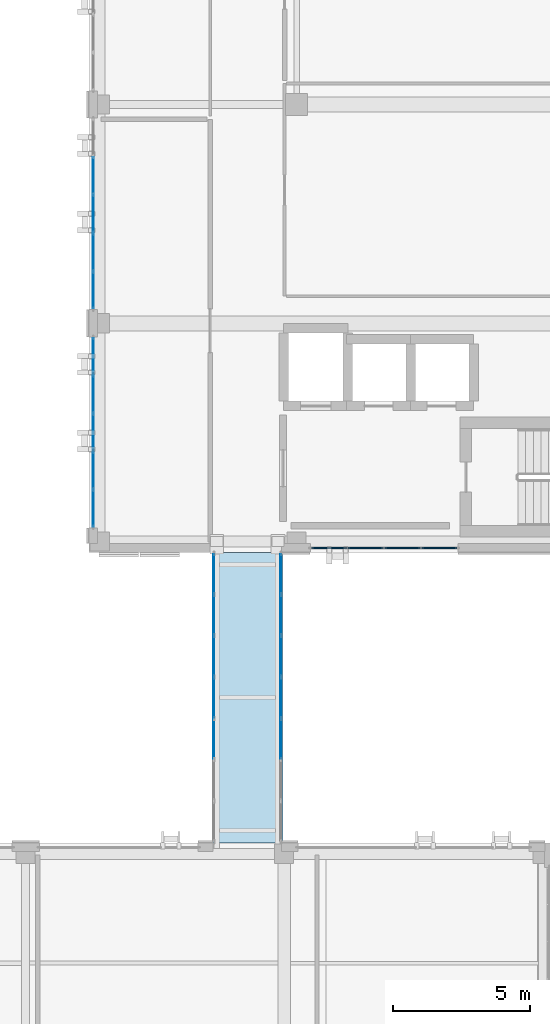
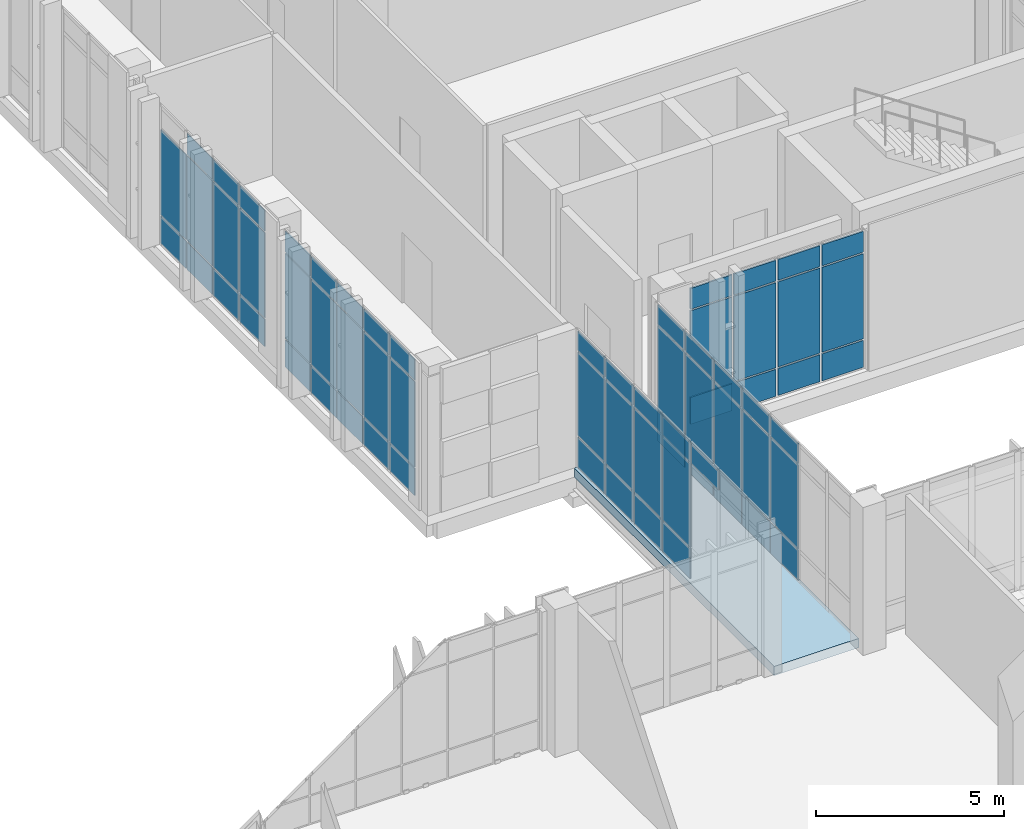
# One storey, part 138 of 189: 66 plates, 1 slab, 5 elements without a shape of their own.
"""IFC4 building model written with IfcOpenShell, lengths in metres."""

from ifc_helpers import new_model, si_unit, direction, frame, origin, origin_2d, place, context, subcontext, project, spatial, polyline, rectangle, outline, extrude, material, layer, layer_set, type_object, element, aggregate, save


model = new_model("IFC4")

# Units and contexts
model_context = context("Model", 3, precision=1e-05, world=origin(), true_north=direction((0.0, 1.0)))
body_context = subcontext(model_context, "Body", "Model", "MODEL_VIEW")
ifc_project = project(units=[si_unit("LENGTHUNIT", "METRE"), si_unit("AREAUNIT", "SQUARE_METRE"), si_unit("VOLUMEUNIT", "CUBIC_METRE"), si_unit("PLANEANGLEUNIT", "RADIAN"), si_unit("MASSUNIT", "GRAM", prefix="KILO")], contexts=[model_context])

# Site, building, storey
site_placement = place(None, origin())
site = spatial("IfcSite", under=ifc_project, at=site_placement, CompositionType="ELEMENT")
building_placement = place(site_placement, origin())
building = spatial("IfcBuilding", under=site, at=building_placement, Name="Qalavern Law Courts", CompositionType="ELEMENT")
storey_placement = place(building_placement, frame((0.0, 0.0, 5.39990234375)))
storey = spatial("IfcBuildingStorey", under=building, at=storey_placement, Name="L01", CompositionType="ELEMENT", Elevation=5.39990234375)

# Curtain wall, plates
ifc_material_1 = material(Name="Anodised aluminium and insulated glazing", Category="aluminium")
ifc_layer_1 = layer(ifc_material_1, 0.172119140625)
ifc_layer_set_1 = layer_set([ifc_layer_1], Name="Anodised aluminium and insulated glazing")
curtain_wall_type_1 = type_object("IfcCurtainWallType", Name="ENV-CW-COURT", PredefinedType="USERDEFINED", material=ifc_layer_set_1)
curtain_wall_1_placement = place(storey_placement, origin())
curtain_wall_1 = element("IfcCurtainWall", 1, at=curtain_wall_1_placement, inside=storey, type_object=curtain_wall_type_1, Name="V4 unitised curtain wall L01 west 5", ObjectType="UNITISED CURTAIN WALL", PredefinedType="USERDEFINED")
ifc_material_2 = material(Name="Insulated low-E acoustic glazing", Category="glass")
ifc_layer_2 = layer(ifc_material_2, 0.028076171875)
ifc_layer_set_2 = layer_set([ifc_layer_2], Name="Insulated low-E acoustic glazing")
plate_type_1 = type_object("IfcPlateType", Name="ENV-CWP-28", PredefinedType="CURTAIN_PANEL", material=ifc_layer_set_2)
plate_1_placement = place(storey_placement, frame((84.362548828125, 54.800048828125, 0.048095703125), z_axis=(0.0, 0.0, 1.0), x_axis=(0.0, -1.0, 0.0)))
plate_1 = element("IfcPlate", 2, at=plate_1_placement, type_object=plate_type_1, Name="CW-03 panel 2.1", PredefinedType="CURTAIN_PANEL", context=body_context, shape_type="SweptSolid", body=[
    extrude(rectangle(XDim=1.35205078125, YDim=0.028076171875, at=origin_2d()), origin(), (0.0, 0.0, 1.0), 0.8779296875),
])
plate_2_placement = place(storey_placement, frame((84.362548828125, 54.800048828125, 0.97412109375), z_axis=(0.0, 0.0, 1.0), x_axis=(0.0, -1.0, 0.0)))
plate_2 = element("IfcPlate", 3, at=plate_2_placement, type_object=plate_type_1, Name="CW-03 panel 2.2", PredefinedType="CURTAIN_PANEL", context=body_context, shape_type="SweptSolid", body=[
    extrude(rectangle(XDim=1.35205078125, YDim=0.028076171875, at=origin_2d()), origin(), (0.0, 0.0, 1.0), 2.761962890625),
])
plate_3_placement = place(storey_placement, frame((84.362548828125, 53.39990234375, 0.048095703125), z_axis=(0.0, 0.0, 1.0), x_axis=(0.0, -1.0, 0.0)))
plate_3 = element("IfcPlate", 4, at=plate_3_placement, type_object=plate_type_1, Name="CW-03 panel 3.1", PredefinedType="CURTAIN_PANEL", context=body_context, shape_type="SweptSolid", body=[
    extrude(rectangle(XDim=1.35205078125, YDim=0.028076171875, at=origin_2d()), origin(), (0.0, 0.0, 1.0), 0.8779296875),
])
plate_4_placement = place(storey_placement, frame((84.362548828125, 53.39990234375, 0.97412109375), z_axis=(0.0, 0.0, 1.0), x_axis=(0.0, -1.0, 0.0)))
plate_4 = element("IfcPlate", 5, at=plate_4_placement, type_object=plate_type_1, Name="CW-03 panel 3.2", PredefinedType="CURTAIN_PANEL", context=body_context, shape_type="SweptSolid", body=[
    extrude(rectangle(XDim=1.35205078125, YDim=0.028076171875, at=origin_2d()), origin(), (0.0, 0.0, 1.0), 2.761962890625),
])
plate_5_placement = place(storey_placement, frame((84.362548828125, 53.39990234375, 3.7841796875), z_axis=(0.0, 0.0, 1.0), x_axis=(0.0, -1.0, 0.0)))
plate_5 = element("IfcPlate", 6, at=plate_5_placement, type_object=plate_type_1, Name="CW-03 panel 3.3", PredefinedType="CURTAIN_PANEL", context=body_context, shape_type="SweptSolid", body=[
    extrude(rectangle(XDim=1.35205078125, YDim=0.028076171875, at=origin_2d()), origin(), (0.0, 0.0, 1.0), 0.677978515625),
])
plate_6_placement = place(storey_placement, frame((84.362548828125, 52.0, 0.048095703125), z_axis=(0.0, 0.0, 1.0), x_axis=(0.0, -1.0, 0.0)))
plate_6 = element("IfcPlate", 7, at=plate_6_placement, type_object=plate_type_1, Name="CW-03 panel 4.1", PredefinedType="CURTAIN_PANEL", context=body_context, shape_type="SweptSolid", body=[
    extrude(rectangle(XDim=1.35205078125, YDim=0.028076171875, at=origin_2d()), origin(), (0.0, 0.0, 1.0), 0.8779296875),
])
plate_7_placement = place(storey_placement, frame((84.362548828125, 52.0, 0.97412109375), z_axis=(0.0, 0.0, 1.0), x_axis=(0.0, -1.0, 0.0)))
plate_7 = element("IfcPlate", 8, at=plate_7_placement, type_object=plate_type_1, Name="CW-03 panel 4.2", PredefinedType="CURTAIN_PANEL", context=body_context, shape_type="SweptSolid", body=[
    extrude(rectangle(XDim=1.35205078125, YDim=0.028076171875, at=origin_2d()), origin(), (0.0, 0.0, 1.0), 2.761962890625),
])
plate_8_placement = place(storey_placement, frame((84.362548828125, 52.0, 3.7841796875), z_axis=(0.0, 0.0, 1.0), x_axis=(0.0, -1.0, 0.0)))
plate_8 = element("IfcPlate", 9, at=plate_8_placement, type_object=plate_type_1, Name="CW-03 panel 4.3", PredefinedType="CURTAIN_PANEL", context=body_context, shape_type="SweptSolid", body=[
    extrude(rectangle(XDim=1.35205078125, YDim=0.028076171875, at=origin_2d()), origin(), (0.0, 0.0, 1.0), 0.677978515625),
])
plate_9_placement = place(storey_placement, frame((84.362548828125, 50.612060546875, 0.048095703125), z_axis=(0.0, 0.0, 1.0), x_axis=(0.0, -1.0, 0.0)))
plate_9 = element("IfcPlate", 10, at=plate_9_placement, type_object=plate_type_1, Name="CW-03 panel 5.1", PredefinedType="CURTAIN_PANEL", context=body_context, shape_type="SweptSolid", body=[
    extrude(rectangle(XDim=1.327880859375, YDim=0.028076171875, at=origin_2d()), origin(), (0.0, 0.0, 1.0), 0.8779296875),
])
plate_10_placement = place(storey_placement, frame((84.362548828125, 50.612060546875, 0.97412109375), z_axis=(0.0, 0.0, 1.0), x_axis=(0.0, -1.0, 0.0)))
plate_10 = element("IfcPlate", 11, at=plate_10_placement, type_object=plate_type_1, Name="CW-03 panel 5.2", PredefinedType="CURTAIN_PANEL", context=body_context, shape_type="SweptSolid", body=[
    extrude(rectangle(XDim=1.327880859375, YDim=0.028076171875, at=origin_2d()), origin(), (0.0, 0.0, 1.0), 2.761962890625),
])
plate_11_placement = place(storey_placement, frame((84.362548828125, 50.612060546875, 3.7841796875), z_axis=(0.0, 0.0, 1.0), x_axis=(0.0, -1.0, 0.0)))
plate_11 = element("IfcPlate", 12, at=plate_11_placement, type_object=plate_type_1, Name="CW-03 panel 5.3", PredefinedType="CURTAIN_PANEL", context=body_context, shape_type="SweptSolid", body=[
    extrude(rectangle(XDim=1.327880859375, YDim=0.028076171875, at=origin_2d()), origin(), (0.0, 0.0, 1.0), 0.677978515625),
])
aggregate(curtain_wall_1, [plate_1, plate_2, plate_3, plate_4, plate_5, plate_6, plate_7, plate_8, plate_9, plate_10, plate_11])

curtain_wall_2_placement = place(storey_placement, origin())
curtain_wall_2 = element("IfcCurtainWall", 13, at=curtain_wall_2_placement, inside=storey, type_object=curtain_wall_type_1, Name="V4 unitised curtain wall L01 west 6", ObjectType="UNITISED CURTAIN WALL", PredefinedType="USERDEFINED")
ifc_layer_3 = layer(ifc_material_2, 0.031982421875)
ifc_layer_set_3 = layer_set([ifc_layer_3], Name="Insulated low-E acoustic glazing")
plate_type_2 = type_object("IfcPlateType", Name="ENV-CWP-32", PredefinedType="CURTAIN_PANEL", material=ifc_layer_set_3)
plate_12_placement = place(storey_placement, frame((84.362548828125, 48.18994140625, 0.048095703125), z_axis=(0.0, 0.0, 1.0), x_axis=(0.0, -1.0, 0.0)))
plate_12 = element("IfcPlate", 14, at=plate_12_placement, type_object=plate_type_2, Name="CW-03 panel 1.1", PredefinedType="CURTAIN_PANEL", context=body_context, shape_type="SweptSolid", body=[
    extrude(rectangle(XDim=1.323974609375, YDim=0.031982421875, at=origin_2d()), origin(), (0.0, 0.0, 1.0), 0.8779296875),
])
plate_13_placement = place(storey_placement, frame((84.362548828125, 48.18994140625, 0.97412109375), z_axis=(0.0, 0.0, 1.0), x_axis=(0.0, -1.0, 0.0)))
plate_13 = element("IfcPlate", 15, at=plate_13_placement, type_object=plate_type_2, Name="CW-03 panel 1.2", PredefinedType="CURTAIN_PANEL", context=body_context, shape_type="SweptSolid", body=[
    extrude(rectangle(XDim=1.323974609375, YDim=0.031982421875, at=origin_2d()), origin(), (0.0, 0.0, 1.0), 2.761962890625),
])
plate_14_placement = place(storey_placement, frame((84.362548828125, 48.18994140625, 3.7841796875), z_axis=(0.0, 0.0, 1.0), x_axis=(0.0, -1.0, 0.0)))
plate_14 = element("IfcPlate", 16, at=plate_14_placement, type_object=plate_type_2, Name="CW-03 panel 1.3", PredefinedType="CURTAIN_PANEL", context=body_context, shape_type="SweptSolid", body=[
    extrude(rectangle(XDim=1.323974609375, YDim=0.031982421875, at=origin_2d()), origin(), (0.0, 0.0, 1.0), 0.677978515625),
])
plate_15_placement = place(storey_placement, frame((84.362548828125, 46.805908203125, 0.048095703125), z_axis=(0.0, 0.0, 1.0), x_axis=(0.0, -1.0, 0.0)))
plate_15 = element("IfcPlate", 17, at=plate_15_placement, type_object=plate_type_2, Name="CW-03 panel 2.1", PredefinedType="CURTAIN_PANEL", context=body_context, shape_type="SweptSolid", body=[
    extrude(rectangle(XDim=1.347900390625, YDim=0.031982421875, at=origin_2d()), origin(), (0.0, 0.0, 1.0), 0.8779296875),
])
plate_16_placement = place(storey_placement, frame((84.362548828125, 46.805908203125, 0.97412109375), z_axis=(0.0, 0.0, 1.0), x_axis=(0.0, -1.0, 0.0)))
plate_16 = element("IfcPlate", 18, at=plate_16_placement, type_object=plate_type_2, Name="CW-03 panel 2.2", PredefinedType="CURTAIN_PANEL", context=body_context, shape_type="SweptSolid", body=[
    extrude(rectangle(XDim=1.347900390625, YDim=0.031982421875, at=origin_2d()), origin(), (0.0, 0.0, 1.0), 2.761962890625),
])
plate_17_placement = place(storey_placement, frame((84.362548828125, 46.805908203125, 3.7841796875), z_axis=(0.0, 0.0, 1.0), x_axis=(0.0, -1.0, 0.0)))
plate_17 = element("IfcPlate", 19, at=plate_17_placement, type_object=plate_type_2, Name="CW-03 panel 2.3", PredefinedType="CURTAIN_PANEL", context=body_context, shape_type="SweptSolid", body=[
    extrude(rectangle(XDim=1.347900390625, YDim=0.031982421875, at=origin_2d()), origin(), (0.0, 0.0, 1.0), 0.677978515625),
])
plate_18_placement = place(storey_placement, frame((84.362548828125, 45.409912109375, 0.048095703125), z_axis=(0.0, 0.0, 1.0), x_axis=(0.0, -1.0, 0.0)))
plate_18 = element("IfcPlate", 20, at=plate_18_placement, type_object=plate_type_2, Name="CW-03 panel 3.1", PredefinedType="CURTAIN_PANEL", context=body_context, shape_type="SweptSolid", body=[
    extrude(rectangle(XDim=1.347900390625, YDim=0.031982421875, at=origin_2d()), origin(), (0.0, 0.0, 1.0), 0.8779296875),
])
plate_19_placement = place(storey_placement, frame((84.362548828125, 45.409912109375, 0.97412109375), z_axis=(0.0, 0.0, 1.0), x_axis=(0.0, -1.0, 0.0)))
plate_19 = element("IfcPlate", 21, at=plate_19_placement, type_object=plate_type_2, Name="CW-03 panel 3.2", PredefinedType="CURTAIN_PANEL", context=body_context, shape_type="SweptSolid", body=[
    extrude(rectangle(XDim=1.347900390625, YDim=0.031982421875, at=origin_2d()), origin(), (0.0, 0.0, 1.0), 2.761962890625),
])
plate_20_placement = place(storey_placement, frame((84.362548828125, 45.409912109375, 3.7841796875), z_axis=(0.0, 0.0, 1.0), x_axis=(0.0, -1.0, 0.0)))
plate_20 = element("IfcPlate", 22, at=plate_20_placement, type_object=plate_type_2, Name="CW-03 panel 3.3", PredefinedType="CURTAIN_PANEL", context=body_context, shape_type="SweptSolid", body=[
    extrude(rectangle(XDim=1.347900390625, YDim=0.031982421875, at=origin_2d()), origin(), (0.0, 0.0, 1.0), 0.677978515625),
])
plate_21_placement = place(storey_placement, frame((84.362548828125, 44.013916015625, 0.048095703125), z_axis=(0.0, 0.0, 1.0), x_axis=(0.0, -1.0, 0.0)))
plate_21 = element("IfcPlate", 23, at=plate_21_placement, type_object=plate_type_2, Name="CW-03 panel 4.1", PredefinedType="CURTAIN_PANEL", context=body_context, shape_type="SweptSolid", body=[
    extrude(rectangle(XDim=1.347900390625, YDim=0.031982421875, at=origin_2d()), origin(), (0.0, 0.0, 1.0), 0.8779296875),
])
plate_22_placement = place(storey_placement, frame((84.362548828125, 44.013916015625, 0.97412109375), z_axis=(0.0, 0.0, 1.0), x_axis=(0.0, -1.0, 0.0)))
plate_22 = element("IfcPlate", 24, at=plate_22_placement, type_object=plate_type_2, Name="CW-03 panel 4.2", PredefinedType="CURTAIN_PANEL", context=body_context, shape_type="SweptSolid", body=[
    extrude(rectangle(XDim=1.347900390625, YDim=0.031982421875, at=origin_2d()), origin(), (0.0, 0.0, 1.0), 2.761962890625),
])
plate_23_placement = place(storey_placement, frame((84.362548828125, 44.013916015625, 3.7841796875), z_axis=(0.0, 0.0, 1.0), x_axis=(0.0, -1.0, 0.0)))
plate_23 = element("IfcPlate", 25, at=plate_23_placement, type_object=plate_type_2, Name="CW-03 panel 4.3", PredefinedType="CURTAIN_PANEL", context=body_context, shape_type="SweptSolid", body=[
    extrude(rectangle(XDim=1.347900390625, YDim=0.031982421875, at=origin_2d()), origin(), (0.0, 0.0, 1.0), 0.677978515625),
])
plate_24_placement = place(storey_placement, frame((84.362548828125, 42.6298828125, 0.048095703125), z_axis=(0.0, 0.0, 1.0), x_axis=(0.0, -1.0, 0.0)))
plate_24 = element("IfcPlate", 26, at=plate_24_placement, type_object=plate_type_2, Name="CW-03 panel 5.1", PredefinedType="CURTAIN_PANEL", context=body_context, shape_type="SweptSolid", body=[
    extrude(rectangle(XDim=1.323974609375, YDim=0.031982421875, at=origin_2d()), origin(), (0.0, 0.0, 1.0), 0.8779296875),
])
plate_25_placement = place(storey_placement, frame((84.362548828125, 42.6298828125, 0.97412109375), z_axis=(0.0, 0.0, 1.0), x_axis=(0.0, -1.0, 0.0)))
plate_25 = element("IfcPlate", 27, at=plate_25_placement, type_object=plate_type_2, Name="CW-03 panel 5.2", PredefinedType="CURTAIN_PANEL", context=body_context, shape_type="SweptSolid", body=[
    extrude(rectangle(XDim=1.323974609375, YDim=0.031982421875, at=origin_2d()), origin(), (0.0, 0.0, 1.0), 2.761962890625),
])
plate_26_placement = place(storey_placement, frame((84.362548828125, 42.6298828125, 3.7841796875), z_axis=(0.0, 0.0, 1.0), x_axis=(0.0, -1.0, 0.0)))
plate_26 = element("IfcPlate", 28, at=plate_26_placement, type_object=plate_type_2, Name="CW-03 panel 5.3", PredefinedType="CURTAIN_PANEL", context=body_context, shape_type="SweptSolid", body=[
    extrude(rectangle(XDim=1.323974609375, YDim=0.031982421875, at=origin_2d()), origin(), (0.0, 0.0, 1.0), 0.677978515625),
])
aggregate(curtain_wall_2, [plate_12, plate_13, plate_14, plate_15, plate_16, plate_17, plate_18, plate_19, plate_20, plate_21, plate_22, plate_23, plate_24, plate_25, plate_26])

ifc_layer_4 = layer(ifc_material_1, 0.14990234375)
ifc_layer_set_4 = layer_set([ifc_layer_4], Name="Anodised aluminium and insulated glazing")
curtain_wall_type_2 = type_object("IfcCurtainWallType", Name="ENV-CW-BRG", PredefinedType="USERDEFINED", material=ifc_layer_set_4)
curtain_wall_3_placement = place(storey_placement, origin())
curtain_wall_3 = element("IfcCurtainWall", 29, at=curtain_wall_3_placement, inside=storey, type_object=curtain_wall_type_2, Name="Bridge BR-V2-V4 glazed curtain wall L01-1", ObjectType="UNITISED CURTAIN WALL", PredefinedType="USERDEFINED")
plate_27_placement = place(storey_placement, frame((88.77490234375, 40.232177734375, 0.048095703125), z_axis=(0.0, 0.0, 1.0), x_axis=(0.0, -1.0, 0.0)))
plate_27 = element("IfcPlate", 30, at=plate_27_placement, type_object=plate_type_2, Name="CW-06 panel 1.1", PredefinedType="CURTAIN_PANEL", context=body_context, shape_type="SweptSolid", body=[
    extrude(rectangle(XDim=1.439453125, YDim=0.031982421875, at=origin_2d()), origin(), (0.0, 0.0, 1.0), 0.97802734375),
])
plate_28_placement = place(storey_placement, frame((88.77490234375, 40.232177734375, 1.07421875), z_axis=(0.0, 0.0, 1.0), x_axis=(0.0, -1.0, 0.0)))
plate_28 = element("IfcPlate", 31, at=plate_28_placement, type_object=plate_type_2, Name="CW-06 panel 1.2", PredefinedType="CURTAIN_PANEL", context=body_context, shape_type="SweptSolid", body=[
    extrude(rectangle(XDim=1.439453125, YDim=0.031982421875, at=origin_2d()), origin(), (0.0, 0.0, 1.0), 2.7119140625),
])
plate_29_placement = place(storey_placement, frame((88.77490234375, 40.232177734375, 3.834228515625), z_axis=(0.0, 0.0, 1.0), x_axis=(0.0, -1.0, 0.0)))
plate_29 = element("IfcPlate", 32, at=plate_29_placement, type_object=plate_type_2, Name="CW-06 panel 1.3", PredefinedType="CURTAIN_PANEL", context=body_context, shape_type="SweptSolid", body=[
    extrude(rectangle(XDim=1.439453125, YDim=0.031982421875, at=origin_2d()), origin(), (0.0, 0.0, 1.0), 0.6279296875),
])
plate_30_placement = place(storey_placement, frame((88.77490234375, 38.73291015625, 0.048095703125), z_axis=(0.0, 0.0, 1.0), x_axis=(0.0, -1.0, 0.0)))
plate_30 = element("IfcPlate", 33, at=plate_30_placement, type_object=plate_type_2, Name="CW-06 panel 2.1", PredefinedType="CURTAIN_PANEL", context=body_context, shape_type="SweptSolid", body=[
    extrude(rectangle(XDim=1.46337890625, YDim=0.031982421875, at=origin_2d()), origin(), (0.0, 0.0, 1.0), 0.97802734375),
])
plate_31_placement = place(storey_placement, frame((88.77490234375, 38.73291015625, 1.07421875), z_axis=(0.0, 0.0, 1.0), x_axis=(0.0, -1.0, 0.0)))
plate_31 = element("IfcPlate", 34, at=plate_31_placement, type_object=plate_type_2, Name="CW-06 panel 2.2", PredefinedType="CURTAIN_PANEL", context=body_context, shape_type="SweptSolid", body=[
    extrude(rectangle(XDim=1.46337890625, YDim=0.031982421875, at=origin_2d()), origin(), (0.0, 0.0, 1.0), 2.7119140625),
])
plate_32_placement = place(storey_placement, frame((88.77490234375, 38.73291015625, 3.834228515625), z_axis=(0.0, 0.0, 1.0), x_axis=(0.0, -1.0, 0.0)))
plate_32 = element("IfcPlate", 35, at=plate_32_placement, type_object=plate_type_2, Name="CW-06 panel 2.3", PredefinedType="CURTAIN_PANEL", context=body_context, shape_type="SweptSolid", body=[
    extrude(rectangle(XDim=1.46337890625, YDim=0.031982421875, at=origin_2d()), origin(), (0.0, 0.0, 1.0), 0.6279296875),
])
plate_33_placement = place(storey_placement, frame((88.77490234375, 37.221435546875, 0.048095703125), z_axis=(0.0, 0.0, 1.0), x_axis=(0.0, -1.0, 0.0)))
plate_33 = element("IfcPlate", 36, at=plate_33_placement, type_object=plate_type_2, Name="CW-06 panel 3.1", PredefinedType="CURTAIN_PANEL", context=body_context, shape_type="SweptSolid", body=[
    extrude(rectangle(XDim=1.46337890625, YDim=0.031982421875, at=origin_2d()), origin(), (0.0, 0.0, 1.0), 0.97802734375),
])
plate_34_placement = place(storey_placement, frame((88.77490234375, 37.221435546875, 1.07421875), z_axis=(0.0, 0.0, 1.0), x_axis=(0.0, -1.0, 0.0)))
plate_34 = element("IfcPlate", 37, at=plate_34_placement, type_object=plate_type_2, Name="CW-06 panel 3.2", PredefinedType="CURTAIN_PANEL", context=body_context, shape_type="SweptSolid", body=[
    extrude(rectangle(XDim=1.46337890625, YDim=0.031982421875, at=origin_2d()), origin(), (0.0, 0.0, 1.0), 2.7119140625),
])
plate_35_placement = place(storey_placement, frame((88.77490234375, 37.221435546875, 3.834228515625), z_axis=(0.0, 0.0, 1.0), x_axis=(0.0, -1.0, 0.0)))
plate_35 = element("IfcPlate", 38, at=plate_35_placement, type_object=plate_type_2, Name="CW-06 panel 3.3", PredefinedType="CURTAIN_PANEL", context=body_context, shape_type="SweptSolid", body=[
    extrude(rectangle(XDim=1.46337890625, YDim=0.031982421875, at=origin_2d()), origin(), (0.0, 0.0, 1.0), 0.6279296875),
])
plate_36_placement = place(storey_placement, frame((88.77490234375, 35.7099609375, 0.048095703125), z_axis=(0.0, 0.0, 1.0), x_axis=(0.0, -1.0, 0.0)))
plate_36 = element("IfcPlate", 39, at=plate_36_placement, type_object=plate_type_2, Name="CW-06 panel 4.1", PredefinedType="CURTAIN_PANEL", context=body_context, shape_type="SweptSolid", body=[
    extrude(rectangle(XDim=1.46337890625, YDim=0.031982421875, at=origin_2d()), origin(), (0.0, 0.0, 1.0), 0.97802734375),
])
plate_37_placement = place(storey_placement, frame((88.77490234375, 35.7099609375, 1.07421875), z_axis=(0.0, 0.0, 1.0), x_axis=(0.0, -1.0, 0.0)))
plate_37 = element("IfcPlate", 40, at=plate_37_placement, type_object=plate_type_2, Name="CW-06 panel 4.2", PredefinedType="CURTAIN_PANEL", context=body_context, shape_type="SweptSolid", body=[
    extrude(rectangle(XDim=1.46337890625, YDim=0.031982421875, at=origin_2d()), origin(), (0.0, 0.0, 1.0), 2.7119140625),
])
plate_38_placement = place(storey_placement, frame((88.77490234375, 35.7099609375, 3.834228515625), z_axis=(0.0, 0.0, 1.0), x_axis=(0.0, -1.0, 0.0)))
plate_38 = element("IfcPlate", 41, at=plate_38_placement, type_object=plate_type_2, Name="CW-06 panel 4.3", PredefinedType="CURTAIN_PANEL", context=body_context, shape_type="SweptSolid", body=[
    extrude(rectangle(XDim=1.46337890625, YDim=0.031982421875, at=origin_2d()), origin(), (0.0, 0.0, 1.0), 0.6279296875),
])
plate_39_placement = place(storey_placement, frame((88.77490234375, 34.198486328125, 3.834228515625), z_axis=(0.0, 0.0, 1.0), x_axis=(0.0, -1.0, 0.0)))
plate_39 = element("IfcPlate", 42, at=plate_39_placement, type_object=plate_type_2, Name="CW-06 panel 5.3", PredefinedType="CURTAIN_PANEL", context=body_context, shape_type="SweptSolid", body=[
    extrude(rectangle(XDim=1.46337890625, YDim=0.031982421875, at=origin_2d()), origin(), (0.0, 0.0, 1.0), 0.6279296875),
])
aggregate(curtain_wall_3, [plate_27, plate_28, plate_29, plate_30, plate_31, plate_32, plate_33, plate_34, plate_35, plate_36, plate_37, plate_38, plate_39])

curtain_wall_4_placement = place(storey_placement, origin())
curtain_wall_4 = element("IfcCurtainWall", 43, at=curtain_wall_4_placement, inside=storey, type_object=curtain_wall_type_2, Name="Bridge BR-V2-V4 glazed curtain wall L01-2", ObjectType="UNITISED CURTAIN WALL", PredefinedType="USERDEFINED")
plate_40_placement = place(storey_placement, frame((91.22509765625, 34.198486328125, 0.048095703125), z_axis=(0.0, 0.0, 1.0), x_axis=(0.0, 1.0, 0.0)))
plate_40 = element("IfcPlate", 44, at=plate_40_placement, type_object=plate_type_2, Name="CW-06 panel 3.1", PredefinedType="CURTAIN_PANEL", context=body_context, shape_type="SweptSolid", body=[
    extrude(rectangle(XDim=1.46337890625, YDim=0.031982421875, at=origin_2d()), origin(), (0.0, 0.0, 1.0), 0.97802734375),
])
plate_41_placement = place(storey_placement, frame((91.22509765625, 34.198486328125, 1.07421875), z_axis=(0.0, 0.0, 1.0), x_axis=(0.0, 1.0, 0.0)))
plate_41 = element("IfcPlate", 45, at=plate_41_placement, type_object=plate_type_2, Name="CW-06 panel 3.2", PredefinedType="CURTAIN_PANEL", context=body_context, shape_type="SweptSolid", body=[
    extrude(rectangle(XDim=1.46337890625, YDim=0.031982421875, at=origin_2d()), origin(), (0.0, 0.0, 1.0), 2.7119140625),
])
plate_42_placement = place(storey_placement, frame((91.22509765625, 34.198486328125, 3.834228515625), z_axis=(0.0, 0.0, 1.0), x_axis=(0.0, 1.0, 0.0)))
plate_42 = element("IfcPlate", 46, at=plate_42_placement, type_object=plate_type_2, Name="CW-06 panel 3.3", PredefinedType="CURTAIN_PANEL", context=body_context, shape_type="SweptSolid", body=[
    extrude(rectangle(XDim=1.46337890625, YDim=0.031982421875, at=origin_2d()), origin(), (0.0, 0.0, 1.0), 0.6279296875),
])
plate_43_placement = place(storey_placement, frame((91.22509765625, 35.7099609375, 0.048095703125), z_axis=(0.0, 0.0, 1.0), x_axis=(0.0, 1.0, 0.0)))
plate_43 = element("IfcPlate", 47, at=plate_43_placement, type_object=plate_type_2, Name="CW-06 panel 4.1", PredefinedType="CURTAIN_PANEL", context=body_context, shape_type="SweptSolid", body=[
    extrude(rectangle(XDim=1.46337890625, YDim=0.031982421875, at=origin_2d()), origin(), (0.0, 0.0, 1.0), 0.97802734375),
])
plate_44_placement = place(storey_placement, frame((91.22509765625, 35.7099609375, 1.07421875), z_axis=(0.0, 0.0, 1.0), x_axis=(0.0, 1.0, 0.0)))
plate_44 = element("IfcPlate", 48, at=plate_44_placement, type_object=plate_type_2, Name="CW-06 panel 4.2", PredefinedType="CURTAIN_PANEL", context=body_context, shape_type="SweptSolid", body=[
    extrude(rectangle(XDim=1.46337890625, YDim=0.031982421875, at=origin_2d()), origin(), (0.0, 0.0, 1.0), 2.7119140625),
])
plate_45_placement = place(storey_placement, frame((91.22509765625, 35.7099609375, 3.834228515625), z_axis=(0.0, 0.0, 1.0), x_axis=(0.0, 1.0, 0.0)))
plate_45 = element("IfcPlate", 49, at=plate_45_placement, type_object=plate_type_2, Name="CW-06 panel 4.3", PredefinedType="CURTAIN_PANEL", context=body_context, shape_type="SweptSolid", body=[
    extrude(rectangle(XDim=1.46337890625, YDim=0.031982421875, at=origin_2d()), origin(), (0.0, 0.0, 1.0), 0.6279296875),
])
plate_46_placement = place(storey_placement, frame((91.22509765625, 37.221435546875, 0.048095703125), z_axis=(0.0, 0.0, 1.0), x_axis=(0.0, 1.0, 0.0)))
plate_46 = element("IfcPlate", 50, at=plate_46_placement, type_object=plate_type_2, Name="CW-06 panel 5.1", PredefinedType="CURTAIN_PANEL", context=body_context, shape_type="SweptSolid", body=[
    extrude(rectangle(XDim=1.46337890625, YDim=0.031982421875, at=origin_2d()), origin(), (0.0, 0.0, 1.0), 0.97802734375),
])
plate_47_placement = place(storey_placement, frame((91.22509765625, 37.221435546875, 1.07421875), z_axis=(0.0, 0.0, 1.0), x_axis=(0.0, 1.0, 0.0)))
plate_47 = element("IfcPlate", 51, at=plate_47_placement, type_object=plate_type_2, Name="CW-06 panel 5.2", PredefinedType="CURTAIN_PANEL", context=body_context, shape_type="SweptSolid", body=[
    extrude(rectangle(XDim=1.46337890625, YDim=0.031982421875, at=origin_2d()), origin(), (0.0, 0.0, 1.0), 2.7119140625),
])
plate_48_placement = place(storey_placement, frame((91.22509765625, 37.221435546875, 3.834228515625), z_axis=(0.0, 0.0, 1.0), x_axis=(0.0, 1.0, 0.0)))
plate_48 = element("IfcPlate", 52, at=plate_48_placement, type_object=plate_type_2, Name="CW-06 panel 5.3", PredefinedType="CURTAIN_PANEL", context=body_context, shape_type="SweptSolid", body=[
    extrude(rectangle(XDim=1.46337890625, YDim=0.031982421875, at=origin_2d()), origin(), (0.0, 0.0, 1.0), 0.6279296875),
])
plate_49_placement = place(storey_placement, frame((91.22509765625, 38.73291015625, 0.048095703125), z_axis=(0.0, 0.0, 1.0), x_axis=(0.0, 1.0, 0.0)))
plate_49 = element("IfcPlate", 53, at=plate_49_placement, type_object=plate_type_2, Name="CW-06 panel 6.1", PredefinedType="CURTAIN_PANEL", context=body_context, shape_type="SweptSolid", body=[
    extrude(rectangle(XDim=1.46337890625, YDim=0.031982421875, at=origin_2d()), origin(), (0.0, 0.0, 1.0), 0.97802734375),
])
plate_50_placement = place(storey_placement, frame((91.22509765625, 38.73291015625, 1.07421875), z_axis=(0.0, 0.0, 1.0), x_axis=(0.0, 1.0, 0.0)))
plate_50 = element("IfcPlate", 54, at=plate_50_placement, type_object=plate_type_2, Name="CW-06 panel 6.2", PredefinedType="CURTAIN_PANEL", context=body_context, shape_type="SweptSolid", body=[
    extrude(rectangle(XDim=1.46337890625, YDim=0.031982421875, at=origin_2d()), origin(), (0.0, 0.0, 1.0), 2.7119140625),
])
plate_51_placement = place(storey_placement, frame((91.22509765625, 38.73291015625, 3.834228515625), z_axis=(0.0, 0.0, 1.0), x_axis=(0.0, 1.0, 0.0)))
plate_51 = element("IfcPlate", 55, at=plate_51_placement, type_object=plate_type_2, Name="CW-06 panel 6.3", PredefinedType="CURTAIN_PANEL", context=body_context, shape_type="SweptSolid", body=[
    extrude(rectangle(XDim=1.46337890625, YDim=0.031982421875, at=origin_2d()), origin(), (0.0, 0.0, 1.0), 0.6279296875),
])
plate_52_placement = place(storey_placement, frame((91.22509765625, 40.232177734375, 0.048095703125), z_axis=(0.0, 0.0, 1.0), x_axis=(0.0, 1.0, 0.0)))
plate_52 = element("IfcPlate", 56, at=plate_52_placement, type_object=plate_type_2, Name="CW-06 panel 7.1", PredefinedType="CURTAIN_PANEL", context=body_context, shape_type="SweptSolid", body=[
    extrude(rectangle(XDim=1.439453125, YDim=0.031982421875, at=origin_2d()), origin(), (0.0, 0.0, 1.0), 0.97802734375),
])
plate_53_placement = place(storey_placement, frame((91.22509765625, 40.232177734375, 1.07421875), z_axis=(0.0, 0.0, 1.0), x_axis=(0.0, 1.0, 0.0)))
plate_53 = element("IfcPlate", 57, at=plate_53_placement, type_object=plate_type_2, Name="CW-06 panel 7.2", PredefinedType="CURTAIN_PANEL", context=body_context, shape_type="SweptSolid", body=[
    extrude(rectangle(XDim=1.439453125, YDim=0.031982421875, at=origin_2d()), origin(), (0.0, 0.0, 1.0), 2.7119140625),
])
plate_54_placement = place(storey_placement, frame((91.22509765625, 40.232177734375, 3.834228515625), z_axis=(0.0, 0.0, 1.0), x_axis=(0.0, 1.0, 0.0)))
plate_54 = element("IfcPlate", 58, at=plate_54_placement, type_object=plate_type_2, Name="CW-06 panel 7.3", PredefinedType="CURTAIN_PANEL", context=body_context, shape_type="SweptSolid", body=[
    extrude(rectangle(XDim=1.439453125, YDim=0.031982421875, at=origin_2d()), origin(), (0.0, 0.0, 1.0), 0.6279296875),
])
aggregate(curtain_wall_4, [plate_40, plate_41, plate_42, plate_43, plate_44, plate_45, plate_46, plate_47, plate_48, plate_49, plate_50, plate_51, plate_52, plate_53, plate_54])

curtain_wall_5_placement = place(storey_placement, origin())
curtain_wall_5 = element("IfcCurtainWall", 59, at=curtain_wall_5_placement, inside=storey, type_object=curtain_wall_type_1, Name="V4 unitised curtain wall L01 south 1", ObjectType="UNITISED CURTAIN WALL", PredefinedType="USERDEFINED")
ifc_layer_5 = layer(ifc_material_2, 0.048095703125)
ifc_layer_set_5 = layer_set([ifc_layer_5], Name="Insulated low-E acoustic glazing")
plate_type_3 = type_object("IfcPlateType", Name="ENV-CWP-48", PredefinedType="CURTAIN_PANEL", material=ifc_layer_set_5)
plate_55_placement = place(storey_placement, frame((92.987060546875, 41.1826171875, 0.048095703125), z_axis=(0.0, 0.0, 1.0), x_axis=(1.0, 0.0, 0.0)))
plate_55 = element("IfcPlate", 60, at=plate_55_placement, type_object=plate_type_3, Name="CW-03 panel 1.1", PredefinedType="CURTAIN_PANEL", context=body_context, shape_type="SweptSolid", body=[
    extrude(rectangle(XDim=1.278076171875, YDim=0.048095703125, at=origin_2d()), origin(), (0.0, 0.0, 1.0), 0.8779296875),
])
plate_56_placement = place(storey_placement, frame((92.987060546875, 41.1826171875, 0.97412109375), z_axis=(0.0, 0.0, 1.0), x_axis=(1.0, 0.0, 0.0)))
plate_56 = element("IfcPlate", 61, at=plate_56_placement, type_object=plate_type_3, Name="CW-03 panel 1.2", PredefinedType="CURTAIN_PANEL", context=body_context, shape_type="SweptSolid", body=[
    extrude(rectangle(XDim=1.278076171875, YDim=0.048095703125, at=origin_2d()), origin(), (0.0, 0.0, 1.0), 2.761962890625),
])
plate_57_placement = place(storey_placement, frame((92.987060546875, 41.1826171875, 3.7841796875), z_axis=(0.0, 0.0, 1.0), x_axis=(1.0, 0.0, 0.0)))
plate_57 = element("IfcPlate", 62, at=plate_57_placement, type_object=plate_type_3, Name="CW-03 panel 1.3", PredefinedType="CURTAIN_PANEL", context=body_context, shape_type="SweptSolid", body=[
    extrude(rectangle(XDim=1.278076171875, YDim=0.048095703125, at=origin_2d()), origin(), (0.0, 0.0, 1.0), 0.677978515625),
])
plate_58_placement = place(storey_placement, frame((94.324951171875, 41.1826171875, 0.048095703125), z_axis=(0.0, 0.0, 1.0), x_axis=(1.0, 0.0, 0.0)))
plate_58 = element("IfcPlate", 63, at=plate_58_placement, type_object=plate_type_3, Name="CW-03 panel 2.1", PredefinedType="CURTAIN_PANEL", context=body_context, shape_type="SweptSolid", body=[
    extrude(rectangle(XDim=1.302001953125, YDim=0.048095703125, at=origin_2d()), origin(), (0.0, 0.0, 1.0), 0.8779296875),
])
plate_59_placement = place(storey_placement, frame((94.324951171875, 41.1826171875, 0.97412109375), z_axis=(0.0, 0.0, 1.0), x_axis=(1.0, 0.0, 0.0)))
plate_59 = element("IfcPlate", 64, at=plate_59_placement, type_object=plate_type_3, Name="CW-03 panel 2.2", PredefinedType="CURTAIN_PANEL", context=body_context, shape_type="SweptSolid", body=[
    extrude(rectangle(XDim=1.302001953125, YDim=0.048095703125, at=origin_2d()), origin(), (0.0, 0.0, 1.0), 2.761962890625),
])
plate_60_placement = place(storey_placement, frame((94.324951171875, 41.1826171875, 3.7841796875), z_axis=(0.0, 0.0, 1.0), x_axis=(1.0, 0.0, 0.0)))
plate_60 = element("IfcPlate", 65, at=plate_60_placement, type_object=plate_type_3, Name="CW-03 panel 2.3", PredefinedType="CURTAIN_PANEL", context=body_context, shape_type="SweptSolid", body=[
    extrude(rectangle(XDim=1.302001953125, YDim=0.048095703125, at=origin_2d()), origin(), (0.0, 0.0, 1.0), 0.677978515625),
])
plate_61_placement = place(storey_placement, frame((95.675048828125, 41.1826171875, 0.048095703125), z_axis=(0.0, 0.0, 1.0), x_axis=(1.0, 0.0, 0.0)))
plate_61 = element("IfcPlate", 66, at=plate_61_placement, type_object=plate_type_3, Name="CW-03 panel 3.1", PredefinedType="CURTAIN_PANEL", context=body_context, shape_type="SweptSolid", body=[
    extrude(rectangle(XDim=1.302001953125, YDim=0.048095703125, at=origin_2d()), origin(), (0.0, 0.0, 1.0), 0.8779296875),
])
plate_62_placement = place(storey_placement, frame((95.675048828125, 41.1826171875, 0.97412109375), z_axis=(0.0, 0.0, 1.0), x_axis=(1.0, 0.0, 0.0)))
plate_62 = element("IfcPlate", 67, at=plate_62_placement, type_object=plate_type_3, Name="CW-03 panel 3.2", PredefinedType="CURTAIN_PANEL", context=body_context, shape_type="SweptSolid", body=[
    extrude(rectangle(XDim=1.302001953125, YDim=0.048095703125, at=origin_2d()), origin(), (0.0, 0.0, 1.0), 2.761962890625),
])
plate_63_placement = place(storey_placement, frame((95.675048828125, 41.1826171875, 3.7841796875), z_axis=(0.0, 0.0, 1.0), x_axis=(1.0, 0.0, 0.0)))
plate_63 = element("IfcPlate", 68, at=plate_63_placement, type_object=plate_type_3, Name="CW-03 panel 3.3", PredefinedType="CURTAIN_PANEL", context=body_context, shape_type="SweptSolid", body=[
    extrude(rectangle(XDim=1.302001953125, YDim=0.048095703125, at=origin_2d()), origin(), (0.0, 0.0, 1.0), 0.677978515625),
])
plate_64_placement = place(storey_placement, frame((97.012939453125, 41.1826171875, 0.048095703125), z_axis=(0.0, 0.0, 1.0), x_axis=(1.0, 0.0, 0.0)))
plate_64 = element("IfcPlate", 69, at=plate_64_placement, type_object=plate_type_3, Name="CW-03 panel 4.1", PredefinedType="CURTAIN_PANEL", context=body_context, shape_type="SweptSolid", body=[
    extrude(rectangle(XDim=1.278076171875, YDim=0.048095703125, at=origin_2d()), origin(), (0.0, 0.0, 1.0), 0.8779296875),
])
plate_65_placement = place(storey_placement, frame((97.012939453125, 41.1826171875, 0.97412109375), z_axis=(0.0, 0.0, 1.0), x_axis=(1.0, 0.0, 0.0)))
plate_65 = element("IfcPlate", 70, at=plate_65_placement, type_object=plate_type_3, Name="CW-03 panel 4.2", PredefinedType="CURTAIN_PANEL", context=body_context, shape_type="SweptSolid", body=[
    extrude(rectangle(XDim=1.278076171875, YDim=0.048095703125, at=origin_2d()), origin(), (0.0, 0.0, 1.0), 2.761962890625),
])
plate_66_placement = place(storey_placement, frame((97.012939453125, 41.1826171875, 3.7841796875), z_axis=(0.0, 0.0, 1.0), x_axis=(1.0, 0.0, 0.0)))
plate_66 = element("IfcPlate", 71, at=plate_66_placement, type_object=plate_type_3, Name="CW-03 panel 4.3", PredefinedType="CURTAIN_PANEL", context=body_context, shape_type="SweptSolid", body=[
    extrude(rectangle(XDim=1.278076171875, YDim=0.048095703125, at=origin_2d()), origin(), (0.0, 0.0, 1.0), 0.677978515625),
])
aggregate(curtain_wall_5, [plate_55, plate_56, plate_57, plate_58, plate_59, plate_60, plate_61, plate_62, plate_63, plate_64, plate_65, plate_66])

# Slab
ifc_material_3 = material(Name="Concrete C40/50", Category="concrete")
ifc_layer_6 = layer(ifc_material_3, 0.300048828125)
ifc_layer_set_6 = layer_set([ifc_layer_6], Name="Concrete C40/50")
slab_type = type_object("IfcSlabType", Name="STR-SLB-L01-300", PredefinedType="FLOOR", material=ifc_layer_set_6)
slab_placement = place(storey_placement, frame((0.0, 0.0, -0.2998046875)))
element("IfcSlab", 72, at=slab_placement, inside=storey, type_object=slab_type, Name="Bridge BR-V2-V4 deck slab L01", PredefinedType="FLOOR", context=body_context, shape_type="SweptSolid", body=[
    extrude(outline(polyline([(88.699951171875, 30.39990234375), (91.300048828125, 30.39990234375), (91.300048828125, 41.02001953125), (88.699951171875, 41.02001953125), (88.699951171875, 30.39990234375)])), origin(), (0.0, 0.0, 1.0), 0.2998046875),
])

save(model, "model.ifc")
